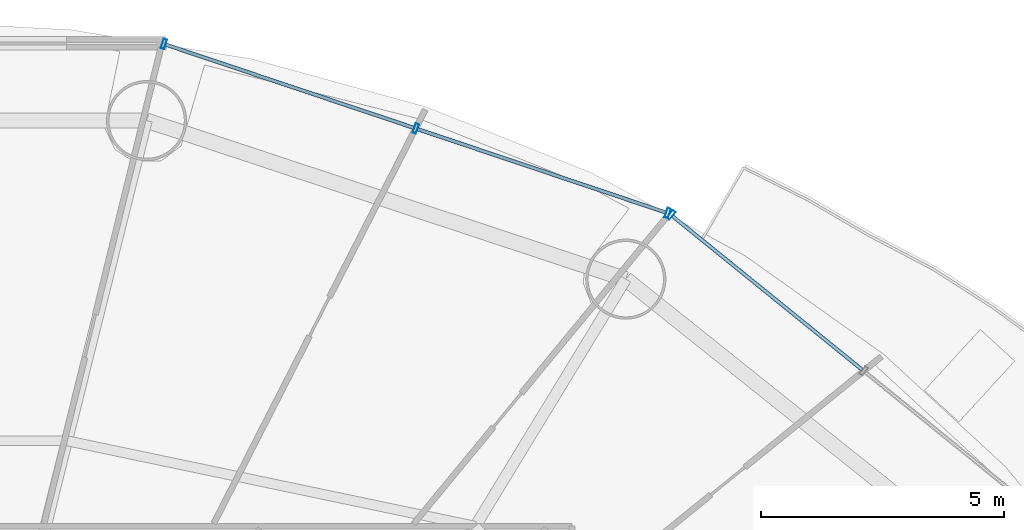
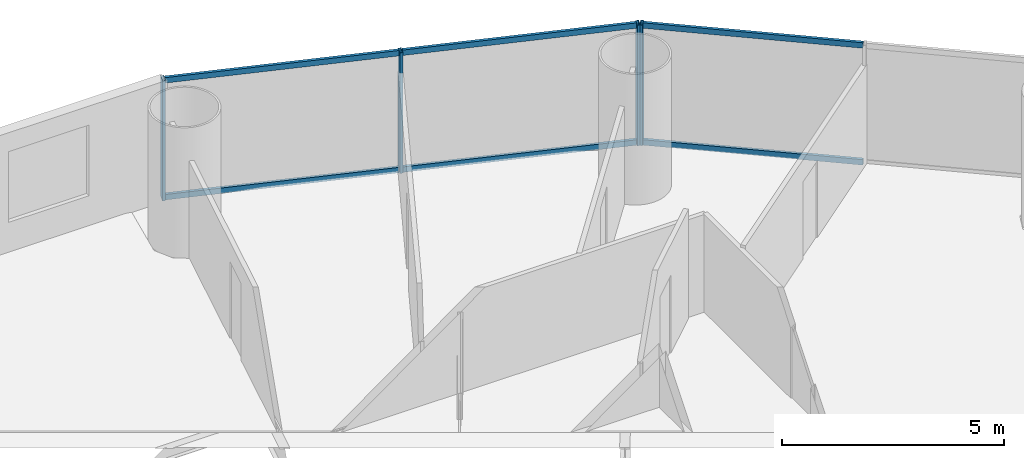
# One storey, part 18 of 28: 10 members, 2 elements without a shape of their own.
"""IFC4 building model written with IfcOpenShell, lengths in metres."""

from ifc_helpers import new_model, si_unit, direction, frame, origin, origin_2d, place, context, subcontext, project, spatial, hollow_rectangle, extrude, source, transform, mapped, material, material_profile, profile_set, type_object, element, aggregate, save


model = new_model("IFC4")

# Units and contexts
model_context = context("Model", 3, precision=1e-05, world=origin(), true_north=direction((-0.2419218956, 0.970295726276)))
body_context = subcontext(model_context, "Body", "Model", "MODEL_VIEW")
ifc_project = project(units=[si_unit("LENGTHUNIT", "METRE"), si_unit("AREAUNIT", "SQUARE_METRE"), si_unit("VOLUMEUNIT", "CUBIC_METRE"), si_unit("PLANEANGLEUNIT", "RADIAN"), si_unit("MASSUNIT", "GRAM", prefix="KILO")], contexts=[model_context])

# Site, building, storey
site_placement = place(None, origin())
site = spatial("IfcSite", under=ifc_project, at=site_placement, CompositionType="ELEMENT")
building_placement = place(site_placement, origin())
building = spatial("IfcBuilding", under=site, at=building_placement, Name="Cobrevalo Terracotta Tower", CompositionType="ELEMENT")
storey_placement = place(building_placement, frame((0.0, 0.0, 34.800048828125)))
storey = spatial("IfcBuildingStorey", under=building, at=storey_placement, Name="L08", CompositionType="ELEMENT", Elevation=34.800048828125)

# Curtain wall, member
ifc_material = material(Name="Anodized aluminium", Category="aluminium")
curtain_wall_type = type_object("IfcCurtainWallType", Name="Lower-tower unitised acoustic low-E curtain wall CW-U1", PredefinedType="NOTDEFINED", material=ifc_material)
curtain_wall_1_placement = place(storey_placement, origin())
curtain_wall_1 = element("IfcCurtainWall", 1, at=curtain_wall_1_placement, inside=storey, type_object=curtain_wall_type, Name="L08 curtain wall CW-L08-S02", PredefinedType="NOTDEFINED")
ifc_material_profile_1 = material_profile(ifc_material, hollow_rectangle(XDim=0.074951171875, YDim=0.199951171875, WallThickness=0.0048828125, at=origin_2d()), Name="CWM 75x200")
ifc_profile_set_1 = profile_set([ifc_material_profile_1], Name="Anodized aluminium")
member_type_1 = type_object("IfcMemberType", Name="Lower/mid tower unitised mullion 75x200", PredefinedType="MULLION", material=ifc_profile_set_1)
shared_shape_1 = source(origin(), body_context, "Body", "SweptSolid", [
    extrude(hollow_rectangle(XDim=0.074951171875, YDim=0.199951171875, WallThickness=0.0048828125, at=origin_2d()), origin(), (0.0, 0.0, 1.0), 3.320068359375),
])
member_1_placement = place(storey_placement, frame((54.1259765625, 46.289306640625, 0.0), z_axis=(0.0, 0.0, 1.0), x_axis=(-0.777003153187, 0.629496703675, 0.0)))
member_1 = element("IfcMember", 2, at=member_1_placement, type_object=member_type_1, Name="CW-L08-S02 vertical mullion 03", PredefinedType="MULLION", context=body_context, shape_type="MappedRepresentation", body=[
    mapped(shared_shape_1, transform((0.0, 0.0, 0.0), scale=1.0)),
])

# Curtain wall, members
curtain_wall_2_placement = place(storey_placement, origin())
curtain_wall_2 = element("IfcCurtainWall", 3, at=curtain_wall_2_placement, inside=storey, type_object=curtain_wall_type, Name="L08 curtain wall CW-L08-S03", PredefinedType="NOTDEFINED")
member_2_placement = place(storey_placement, frame((54.056884765625, 46.327392578125, 0.0), z_axis=(0.0, 0.0, 1.0), x_axis=(-0.948046393597, 0.318132103987, 0.0)))
member_2 = element("IfcMember", 4, at=member_2_placement, type_object=member_type_1, Name="CW-L08-S03 vertical mullion 01", PredefinedType="MULLION", context=body_context, shape_type="MappedRepresentation", body=[
    mapped(shared_shape_1, transform((0.0, 0.0, 0.0), scale=1.0)),
])
member_3_placement = place(storey_placement, frame((48.873291015625, 48.06689453125, 0.0), z_axis=(0.0, 0.0, 1.0), x_axis=(-0.948046393597, 0.318132103987, 0.0)))
member_3 = element("IfcMember", 5, at=member_3_placement, type_object=member_type_1, Name="CW-L08-S03 vertical mullion 02", PredefinedType="MULLION", context=body_context, shape_type="MappedRepresentation", body=[
    mapped(shared_shape_1, transform((0.0, 0.0, 0.0), scale=1.0)),
])
member_4_placement = place(storey_placement, frame((43.689697265625, 49.806396484375, 0.0), z_axis=(0.0, 0.0, 1.0), x_axis=(-0.948046393597, 0.318132103987, 0.0)))
member_4 = element("IfcMember", 6, at=member_4_placement, type_object=member_type_1, Name="CW-L08-S03 vertical mullion 03", PredefinedType="MULLION", context=body_context, shape_type="MappedRepresentation", body=[
    mapped(shared_shape_1, transform((0.0, 0.0, 0.0), scale=1.0)),
])

# Member
ifc_material_profile_2 = material_profile(ifc_material, hollow_rectangle(XDim=0.074951171875, YDim=0.14990234375, WallThickness=0.00439453125, at=origin_2d()), Name="CWT 75x150")
ifc_profile_set_2 = profile_set([ifc_material_profile_2], Name="Anodized aluminium")
member_type_2 = type_object("IfcMemberType", Name="Tower unitised aluminium transom 75x150", PredefinedType="USERDEFINED", material=ifc_profile_set_2)
shared_shape_2 = source(origin(), body_context, "Body", "SweptSolid", [
    extrude(hollow_rectangle(XDim=0.074951171875, YDim=0.14990234375, WallThickness=0.00439453125, at=origin_2d()), origin(), (0.0, 0.0, 1.0), 5.0234375),
])
member_5_placement = place(storey_placement, frame((58.060302734375, 43.10205078125, 0.050048828125), z_axis=(-0.777022991593, 0.629472215857, 0.0), x_axis=(-0.629472215857, -0.777022991593, 0.0)))
member_5 = element("IfcMember", 7, at=member_5_placement, type_object=member_type_2, Name="CW-L08-S02 transom B02-T1", ObjectType="TRANSOM", PredefinedType="USERDEFINED", context=body_context, shape_type="MappedRepresentation", body=[
    mapped(shared_shape_2, transform((0.0, 0.0, 0.0), scale=1.0)),
])

member_6_placement = place(storey_placement, frame((58.060302734375, 43.10205078125, 3.27001953125), z_axis=(-0.777022991593, 0.629472215857, 0.0), x_axis=(-0.629472215857, -0.777022991593, 0.0)))
member_6 = element("IfcMember", 8, at=member_6_placement, type_object=member_type_2, Name="CW-L08-S02 transom B02-T2", ObjectType="TRANSOM", PredefinedType="USERDEFINED", context=body_context, shape_type="MappedRepresentation", body=[
    mapped(shared_shape_2, transform((0.0, 0.0, 0.0), scale=1.0)),
])

aggregate(curtain_wall_1, [member_1, member_5, member_6])

shared_shape_3 = source(origin(), body_context, "Body", "SweptSolid", [
    extrude(hollow_rectangle(XDim=0.074951171875, YDim=0.14990234375, WallThickness=0.00439453125, at=origin_2d()), origin(), (0.0, 0.0, 1.0), 5.387939453125),
])
member_7_placement = place(storey_placement, frame((54.01904296875, 46.340087890625, 0.050048828125), z_axis=(-0.94804244582, 0.318143868278, 0.0), x_axis=(-0.318143868278, -0.94804244582, 0.0)))
member_7 = element("IfcMember", 9, at=member_7_placement, type_object=member_type_2, Name="CW-L08-S03 transom B01-T1", ObjectType="TRANSOM", PredefinedType="USERDEFINED", context=body_context, shape_type="MappedRepresentation", body=[
    mapped(shared_shape_3, transform((0.0, 0.0, 0.0), scale=1.0)),
])

member_8_placement = place(storey_placement, frame((54.01904296875, 46.340087890625, 3.27001953125), z_axis=(-0.94804244582, 0.318143868278, 0.0), x_axis=(-0.318143868278, -0.94804244582, 0.0)))
member_8 = element("IfcMember", 10, at=member_8_placement, type_object=member_type_2, Name="CW-L08-S03 transom B01-T2", ObjectType="TRANSOM", PredefinedType="USERDEFINED", context=body_context, shape_type="MappedRepresentation", body=[
    mapped(shared_shape_3, transform((0.0, 0.0, 0.0), scale=1.0)),
])

member_9_placement = place(storey_placement, frame((48.83544921875, 48.07958984375, 0.050048828125), z_axis=(-0.94804244582, 0.318143868278, 0.0), x_axis=(-0.318143868278, -0.94804244582, 0.0)))
member_9 = element("IfcMember", 11, at=member_9_placement, type_object=member_type_2, Name="CW-L08-S03 transom B02-T1", ObjectType="TRANSOM", PredefinedType="USERDEFINED", context=body_context, shape_type="MappedRepresentation", body=[
    mapped(shared_shape_3, transform((0.0, 0.0, 0.0), scale=1.0)),
])

member_10_placement = place(storey_placement, frame((48.83544921875, 48.07958984375, 3.27001953125), z_axis=(-0.94804244582, 0.318143868278, 0.0), x_axis=(-0.318143868278, -0.94804244582, 0.0)))
member_10 = element("IfcMember", 12, at=member_10_placement, type_object=member_type_2, Name="CW-L08-S03 transom B02-T2", ObjectType="TRANSOM", PredefinedType="USERDEFINED", context=body_context, shape_type="MappedRepresentation", body=[
    mapped(shared_shape_3, transform((0.0, 0.0, 0.0), scale=1.0)),
])

aggregate(curtain_wall_2, [member_2, member_3, member_4, member_7, member_8, member_9, member_10])

save(model, "model.ifc")
